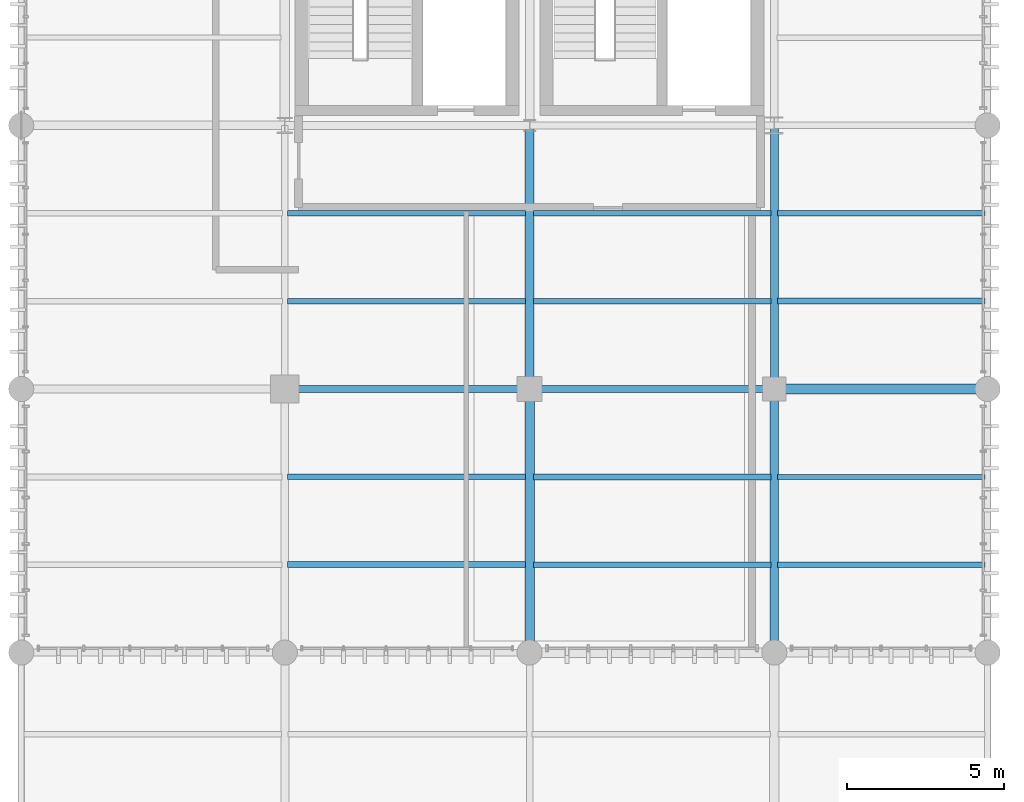
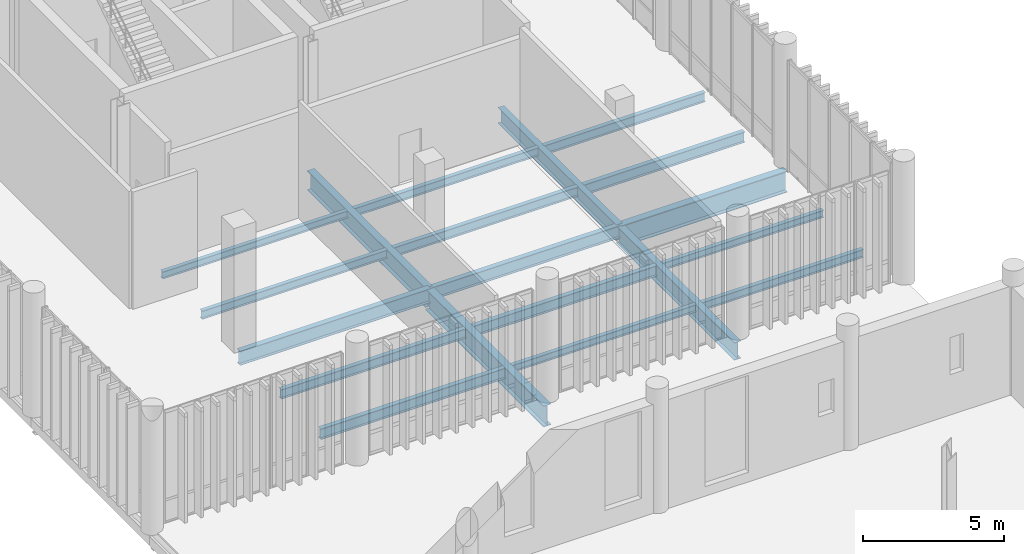
# One storey, part 79 of 128: 19 beams.
"""IFC4 building model written with IfcOpenShell, lengths in metres."""

from ifc_helpers import new_model, si_unit, direction, frame, origin_with_axes, origin_2d_with_axis, place, context, subcontext, project, spatial, i_section, extrude, material, material_profile, profile_set, type_object, element, save


model = new_model("IFC4")

# Units and contexts
model_context = context("Model", 3, precision=1e-05, world=origin_with_axes(), true_north=direction((0.0, 1.0)))
body_context = subcontext(model_context, "Body", "Model", "MODEL_VIEW")
ifc_project = project(units=[si_unit("LENGTHUNIT", "METRE"), si_unit("AREAUNIT", "SQUARE_METRE"), si_unit("VOLUMEUNIT", "CUBIC_METRE"), si_unit("PLANEANGLEUNIT", "RADIAN"), si_unit("MASSUNIT", "GRAM", prefix="KILO"), si_unit("THERMODYNAMICTEMPERATUREUNIT", "KELVIN")], contexts=[model_context])

# Site, building, storey
site_placement = place(None, origin_with_axes())
site = spatial("IfcSite", under=ifc_project, at=site_placement, CompositionType="ELEMENT")
building_placement = place(site_placement, origin_with_axes())
building = spatial("IfcBuilding", under=site, at=building_placement, Name="Montbau Bow Law Courts", CompositionType="ELEMENT")
storey_placement = place(building_placement, frame((0.0, 0.0, 5.4), z_axis=(0.0, 0.0, 1.0), x_axis=(1.0, 0.0, 0.0)))
storey = spatial("IfcBuildingStorey", under=building, at=storey_placement, Name="L01", CompositionType="ELEMENT", Elevation=5.4)

# Beams
ifc_material = material(Name="Steel CSA G40.21 Grade 350W (350 MPa)", Category="steel")
ifc_material_profile_1 = material_profile(ifc_material, i_section(OverallWidth=0.306, OverallDepth=0.919, WebThickness=0.0173, FlangeThickness=0.0279, at=origin_2d_with_axis()), Name="W920X253", Category="Main", Priority=0)
ifc_profile_set_1 = profile_set([ifc_material_profile_1], Name="Steel CSA G40.21 Grade 350W (350 MPa)")
beam_type_1 = type_object("IfcBeamType", Name="B-FLR-01", PredefinedType="BEAM", material=ifc_profile_set_1)
beam_1_placement = place(None, frame((162.6, 78.0, 4.66), z_axis=(1.0, 0.0, 0.0), x_axis=(0.0, 1.0, 0.0)))
element("IfcBeam", 1, at=beam_1_placement, inside=storey, type_object=beam_type_1, Name="BM-L01-S1109:bm2_1112", PredefinedType="BEAM", context=body_context, shape_type="SweptSolid", body=[
    extrude(i_section(OverallWidth=0.306, OverallDepth=0.919, WebThickness=0.0173, FlangeThickness=0.0279, at=origin_2d_with_axis()), origin_with_axes(), (0.0, 0.0, 1.0), 6.8),
])
beam_2_placement = place(None, frame((154.8, 69.6, 4.651), z_axis=(0.0, 1.0, 0.0), x_axis=(-1.0, 0.0, 0.0)))
element("IfcBeam", 2, at=beam_2_placement, inside=storey, type_object=beam_type_1, Name="BM-L01-S1145:bm2_1148", PredefinedType="BEAM", context=body_context, shape_type="SweptSolid", body=[
    extrude(i_section(OverallWidth=0.306, OverallDepth=0.919, WebThickness=0.0173, FlangeThickness=0.0279, at=origin_2d_with_axis()), origin_with_axes(), (0.0, 0.0, 1.0), 8.4),
])
ifc_material_profile_2 = material_profile(ifc_material, i_section(OverallWidth=0.293, OverallDepth=0.846, WebThickness=0.0154, FlangeThickness=0.0244, at=origin_2d_with_axis()), Name="W840X210", Category="Main", Priority=0)
ifc_profile_set_2 = profile_set([ifc_material_profile_2], Name="Steel CSA G40.21 Grade 350W (350 MPa)")
beam_type_2 = type_object("IfcBeamType", Name="B-FLR-02", PredefinedType="BEAM", material=ifc_profile_set_2)
beam_3_placement = place(None, frame((154.8, 78.0, 4.697), z_axis=(0.0, 1.0, 0.0), x_axis=(-1.0, 0.0, 0.0)))
element("IfcBeam", 3, at=beam_3_placement, inside=storey, type_object=beam_type_2, Name="BM-L01-S1146:bm2_1149", PredefinedType="BEAM", context=body_context, shape_type="SweptSolid", body=[
    extrude(i_section(OverallWidth=0.293, OverallDepth=0.846, WebThickness=0.0154, FlangeThickness=0.0244, at=origin_2d_with_axis()), origin_with_axes(), (0.0, 0.0, 1.0), 8.4),
])
ifc_material_profile_3 = material_profile(ifc_material, i_section(OverallWidth=0.267, OverallDepth=0.766, WebThickness=0.0149, FlangeThickness=0.0236, at=origin_2d_with_axis()), Name="W760X185", Category="Main", Priority=0)
ifc_profile_set_3 = profile_set([ifc_material_profile_3], Name="Steel CSA G40.21 Grade 350W (350 MPa)")
beam_type_3 = type_object("IfcBeamType", Name="B-FLR-03", PredefinedType="BEAM", material=ifc_profile_set_3)
beam_4_placement = place(None, frame((162.6, 69.6, 4.727), z_axis=(0.0, 1.0, 0.0), x_axis=(-1.0, 0.0, 0.0)))
element("IfcBeam", 4, at=beam_4_placement, inside=storey, type_object=beam_type_3, Name="BM-L01-S1152:bm2_1155", PredefinedType="BEAM", context=body_context, shape_type="SweptSolid", body=[
    extrude(i_section(OverallWidth=0.267, OverallDepth=0.766, WebThickness=0.0149, FlangeThickness=0.0236, at=origin_2d_with_axis()), origin_with_axes(), (0.0, 0.0, 1.0), 8.4),
])
ifc_material_profile_4 = material_profile(ifc_material, i_section(OverallWidth=0.254, OverallDepth=0.688, WebThickness=0.0131, FlangeThickness=0.0211, at=origin_2d_with_axis()), Name="W690X152", Category="Main", Priority=0)
ifc_profile_set_4 = profile_set([ifc_material_profile_4], Name="Steel CSA G40.21 Grade 350W (350 MPa)")
beam_type_4 = type_object("IfcBeamType", Name="B-FLR-04", PredefinedType="BEAM", material=ifc_profile_set_4)
beam_5_placement = place(None, frame((162.6, 78.0, 4.776), z_axis=(0.0, 1.0, 0.0), x_axis=(-1.0, 0.0, 0.0)))
element("IfcBeam", 5, at=beam_5_placement, inside=storey, type_object=beam_type_4, Name="BM-L01-S1153:bm2_1156", PredefinedType="BEAM", context=body_context, shape_type="SweptSolid", body=[
    extrude(i_section(OverallWidth=0.254, OverallDepth=0.688, WebThickness=0.0131, FlangeThickness=0.0211, at=origin_2d_with_axis()), origin_with_axes(), (0.0, 0.0, 1.0), 8.4),
])
ifc_material_profile_5 = material_profile(ifc_material, i_section(OverallWidth=0.229, OverallDepth=0.612, WebThickness=0.0119, FlangeThickness=0.0196, at=origin_2d_with_axis()), Name="W610X125", Category="Main", Priority=0)
ifc_profile_set_5 = profile_set([ifc_material_profile_5], Name="Steel CSA G40.21 Grade 350W (350 MPa)")
beam_type_5 = type_object("IfcBeamType", Name="B-FLR-05", PredefinedType="BEAM", material=ifc_profile_set_5)
beam_6_placement = place(None, frame((147.0, 78.0, 4.814), z_axis=(1.0, 0.0, 0.0), x_axis=(0.0, 1.0, 0.0)))
element("IfcBeam", 6, at=beam_6_placement, inside=storey, type_object=beam_type_5, Name="BM-L01-S1107:bm2_1110", PredefinedType="BEAM", context=body_context, shape_type="SweptSolid", body=[
    extrude(i_section(OverallWidth=0.229, OverallDepth=0.612, WebThickness=0.0119, FlangeThickness=0.0196, at=origin_2d_with_axis()), origin_with_axes(), (0.0, 0.0, 1.0), 7.8),
])
ifc_material_profile_6 = material_profile(ifc_material, i_section(OverallWidth=0.21, OverallDepth=0.537, WebThickness=0.0109, FlangeThickness=0.0174, at=origin_2d_with_axis()), Name="W530X101", Category="Main", Priority=0)
ifc_profile_set_6 = profile_set([ifc_material_profile_6], Name="Steel CSA G40.21 Grade 350W (350 MPa)")
beam_type_6 = type_object("IfcBeamType", Name="B-FLR-06", PredefinedType="BEAM", material=ifc_profile_set_6)
beam_7_placement = place(None, frame((154.8, 78.0, 4.851), z_axis=(1.0, 0.0, 0.0), x_axis=(0.0, 1.0, 0.0)))
element("IfcBeam", 7, at=beam_7_placement, inside=storey, type_object=beam_type_6, Name="BM-L01-S1108:bm2_1111", PredefinedType="BEAM", context=body_context, shape_type="SweptSolid", body=[
    extrude(i_section(OverallWidth=0.21, OverallDepth=0.537, WebThickness=0.0109, FlangeThickness=0.0174, at=origin_2d_with_axis()), origin_with_axes(), (0.0, 0.0, 1.0), 7.8),
])
ifc_material_profile_7 = material_profile(ifc_material, i_section(OverallWidth=0.191, OverallDepth=0.46, WebThickness=0.0099, FlangeThickness=0.016, at=origin_2d_with_axis()), Name="W460X82", Category="Main", Priority=0)
ifc_profile_set_7 = profile_set([ifc_material_profile_7], Name="Steel CSA G40.21 Grade 350W (350 MPa)")
beam_type_7 = type_object("IfcBeamType", Name="B-JST-01", PredefinedType="JOIST", material=ifc_profile_set_7)
beam_8_placement = place(None, frame((147.09, 72.4, 4.88), z_axis=(1.0, 0.0, 0.0), x_axis=(0.0, 1.0, 0.0)))
element("IfcBeam", 8, at=beam_8_placement, inside=storey, type_object=beam_type_7, Name="JST-L01-S0576:jst2_0576", PredefinedType="JOIST", context=body_context, shape_type="SweptSolid", body=[
    extrude(i_section(OverallWidth=0.191, OverallDepth=0.46, WebThickness=0.0099, FlangeThickness=0.016, at=origin_2d_with_axis()), origin_with_axes(), (0.0, 0.0, 1.0), 7.581),
])
beam_9_placement = place(None, frame((154.929, 75.2, 4.88), z_axis=(1.0, 0.0, 0.0), x_axis=(0.0, 1.0, 0.0)))
element("IfcBeam", 9, at=beam_9_placement, inside=storey, type_object=beam_type_7, Name="JST-L01-S0588:jst2_0588", PredefinedType="JOIST", context=body_context, shape_type="SweptSolid", body=[
    extrude(i_section(OverallWidth=0.191, OverallDepth=0.46, WebThickness=0.0099, FlangeThickness=0.016, at=origin_2d_with_axis()), origin_with_axes(), (0.0, 0.0, 1.0), 7.561),
])
beam_10_placement = place(None, frame((162.703, 80.8, 4.89), z_axis=(1.0, 0.0, 0.0), x_axis=(0.0, 1.0, 0.0)))
element("IfcBeam", 10, at=beam_10_placement, inside=storey, type_object=beam_type_7, Name="JST-L01-S0600:jst2_0600", PredefinedType="JOIST", context=body_context, shape_type="SweptSolid", body=[
    extrude(i_section(OverallWidth=0.191, OverallDepth=0.46, WebThickness=0.0099, FlangeThickness=0.016, at=origin_2d_with_axis()), origin_with_axes(), (0.0, 0.0, 1.0), 6.617),
])
ifc_material_profile_8 = material_profile(ifc_material, i_section(OverallWidth=0.179, OverallDepth=0.41, WebThickness=0.0088, FlangeThickness=0.0144, at=origin_2d_with_axis()), Name="W410X67", Category="Main", Priority=0)
ifc_profile_set_8 = profile_set([ifc_material_profile_8], Name="Steel CSA G40.21 Grade 350W (350 MPa)")
beam_type_8 = type_object("IfcBeamType", Name="B-JST-02", PredefinedType="JOIST", material=ifc_profile_set_8)
beam_11_placement = place(None, frame((147.09, 75.2, 4.905), z_axis=(1.0, 0.0, 0.0), x_axis=(0.0, 1.0, 0.0)))
element("IfcBeam", 11, at=beam_11_placement, inside=storey, type_object=beam_type_8, Name="JST-L01-S0577:jst2_0577", PredefinedType="JOIST", context=body_context, shape_type="SweptSolid", body=[
    extrude(i_section(OverallWidth=0.179, OverallDepth=0.41, WebThickness=0.0088, FlangeThickness=0.0144, at=origin_2d_with_axis()), origin_with_axes(), (0.0, 0.0, 1.0), 7.581),
])
beam_12_placement = place(None, frame((154.923, 80.8, 4.915), z_axis=(1.0, 0.0, 0.0), x_axis=(0.0, 1.0, 0.0)))
element("IfcBeam", 12, at=beam_12_placement, inside=storey, type_object=beam_type_8, Name="JST-L01-S0589:jst2_0589", PredefinedType="JOIST", context=body_context, shape_type="SweptSolid", body=[
    extrude(i_section(OverallWidth=0.179, OverallDepth=0.41, WebThickness=0.0088, FlangeThickness=0.0144, at=origin_2d_with_axis()), origin_with_axes(), (0.0, 0.0, 1.0), 7.574),
])
beam_13_placement = place(None, frame((162.703, 83.6, 4.915), z_axis=(1.0, 0.0, 0.0), x_axis=(0.0, 1.0, 0.0)))
element("IfcBeam", 13, at=beam_13_placement, inside=storey, type_object=beam_type_8, Name="JST-L01-S0601:jst2_0601", PredefinedType="JOIST", context=body_context, shape_type="SweptSolid", body=[
    extrude(i_section(OverallWidth=0.179, OverallDepth=0.41, WebThickness=0.0088, FlangeThickness=0.0144, at=origin_2d_with_axis()), origin_with_axes(), (0.0, 0.0, 1.0), 6.617),
])
ifc_material_profile_9 = material_profile(ifc_material, i_section(OverallWidth=0.172, OverallDepth=0.358, WebThickness=0.0079, FlangeThickness=0.0131, at=origin_2d_with_axis()), Name="W360X57", Category="Main", Priority=0)
ifc_profile_set_9 = profile_set([ifc_material_profile_9], Name="Steel CSA G40.21 Grade 350W (350 MPa)")
beam_type_9 = type_object("IfcBeamType", Name="B-JST-03", PredefinedType="JOIST", material=ifc_profile_set_9)
beam_14_placement = place(None, frame((147.081, 80.8, 4.941), z_axis=(1.0, 0.0, 0.0), x_axis=(0.0, 1.0, 0.0)))
element("IfcBeam", 14, at=beam_14_placement, inside=storey, type_object=beam_type_9, Name="JST-L01-S0578:jst2_0578", PredefinedType="JOIST", context=body_context, shape_type="SweptSolid", body=[
    extrude(i_section(OverallWidth=0.172, OverallDepth=0.358, WebThickness=0.0079, FlangeThickness=0.0131, at=origin_2d_with_axis()), origin_with_axes(), (0.0, 0.0, 1.0), 7.597),
])
beam_15_placement = place(None, frame((154.923, 83.6, 4.941), z_axis=(1.0, 0.0, 0.0), x_axis=(0.0, 1.0, 0.0)))
element("IfcBeam", 15, at=beam_15_placement, inside=storey, type_object=beam_type_9, Name="JST-L01-S0590:jst2_0590", PredefinedType="JOIST", context=body_context, shape_type="SweptSolid", body=[
    extrude(i_section(OverallWidth=0.172, OverallDepth=0.358, WebThickness=0.0079, FlangeThickness=0.0131, at=origin_2d_with_axis()), origin_with_axes(), (0.0, 0.0, 1.0), 7.574),
])
beam_16_placement = place(None, frame((162.709, 72.4, 4.931), z_axis=(1.0, 0.0, 0.0), x_axis=(0.0, 1.0, 0.0)))
element("IfcBeam", 16, at=beam_16_placement, inside=storey, type_object=beam_type_9, Name="JST-L01-S0598:jst2_0598", PredefinedType="JOIST", context=body_context, shape_type="SweptSolid", body=[
    extrude(i_section(OverallWidth=0.172, OverallDepth=0.358, WebThickness=0.0079, FlangeThickness=0.0131, at=origin_2d_with_axis()), origin_with_axes(), (0.0, 0.0, 1.0), 6.611),
])
ifc_material_profile_10 = material_profile(ifc_material, i_section(OverallWidth=0.166, OverallDepth=0.313, WebThickness=0.0066, FlangeThickness=0.0112, at=origin_2d_with_axis()), Name="W310X45", Category="Main", Priority=0)
ifc_profile_set_10 = profile_set([ifc_material_profile_10], Name="Steel CSA G40.21 Grade 350W (350 MPa)")
beam_type_10 = type_object("IfcBeamType", Name="B-JST-04", PredefinedType="JOIST", material=ifc_profile_set_10)
beam_17_placement = place(None, frame((147.081, 83.6, 4.963), z_axis=(1.0, 0.0, 0.0), x_axis=(0.0, 1.0, 0.0)))
element("IfcBeam", 17, at=beam_17_placement, inside=storey, type_object=beam_type_10, Name="JST-L01-S0579:jst2_0579", PredefinedType="JOIST", context=body_context, shape_type="SweptSolid", body=[
    extrude(i_section(OverallWidth=0.166, OverallDepth=0.313, WebThickness=0.0066, FlangeThickness=0.0112, at=origin_2d_with_axis()), origin_with_axes(), (0.0, 0.0, 1.0), 7.597),
])
beam_18_placement = place(None, frame((154.929, 72.4, 4.954), z_axis=(1.0, 0.0, 0.0), x_axis=(0.0, 1.0, 0.0)))
element("IfcBeam", 18, at=beam_18_placement, inside=storey, type_object=beam_type_10, Name="JST-L01-S0587:jst2_0587", PredefinedType="JOIST", context=body_context, shape_type="SweptSolid", body=[
    extrude(i_section(OverallWidth=0.166, OverallDepth=0.313, WebThickness=0.0066, FlangeThickness=0.0112, at=origin_2d_with_axis()), origin_with_axes(), (0.0, 0.0, 1.0), 7.561),
])
beam_19_placement = place(None, frame((162.709, 75.2, 4.954), z_axis=(1.0, 0.0, 0.0), x_axis=(0.0, 1.0, 0.0)))
element("IfcBeam", 19, at=beam_19_placement, inside=storey, type_object=beam_type_10, Name="JST-L01-S0599:jst2_0599", PredefinedType="JOIST", context=body_context, shape_type="SweptSolid", body=[
    extrude(i_section(OverallWidth=0.166, OverallDepth=0.313, WebThickness=0.0066, FlangeThickness=0.0112, at=origin_2d_with_axis()), origin_with_axes(), (0.0, 0.0, 1.0), 6.611),
])

save(model, "model.ifc")
